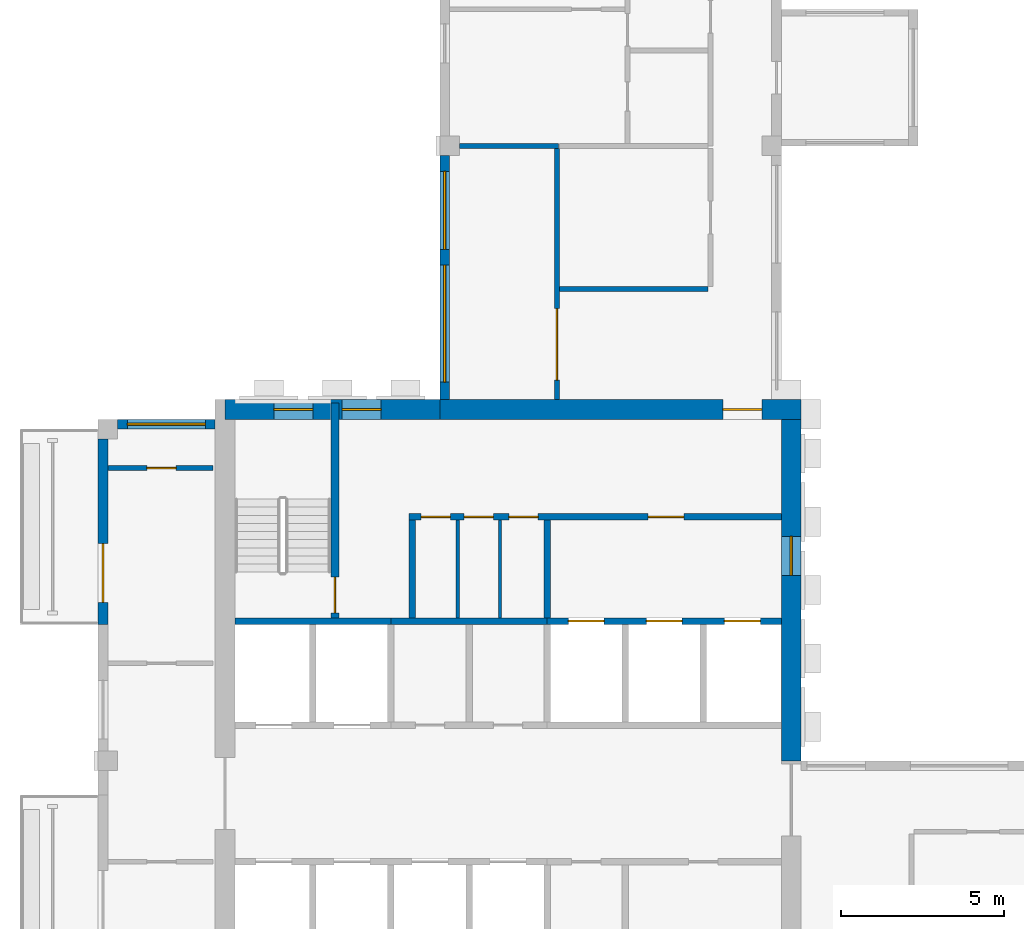
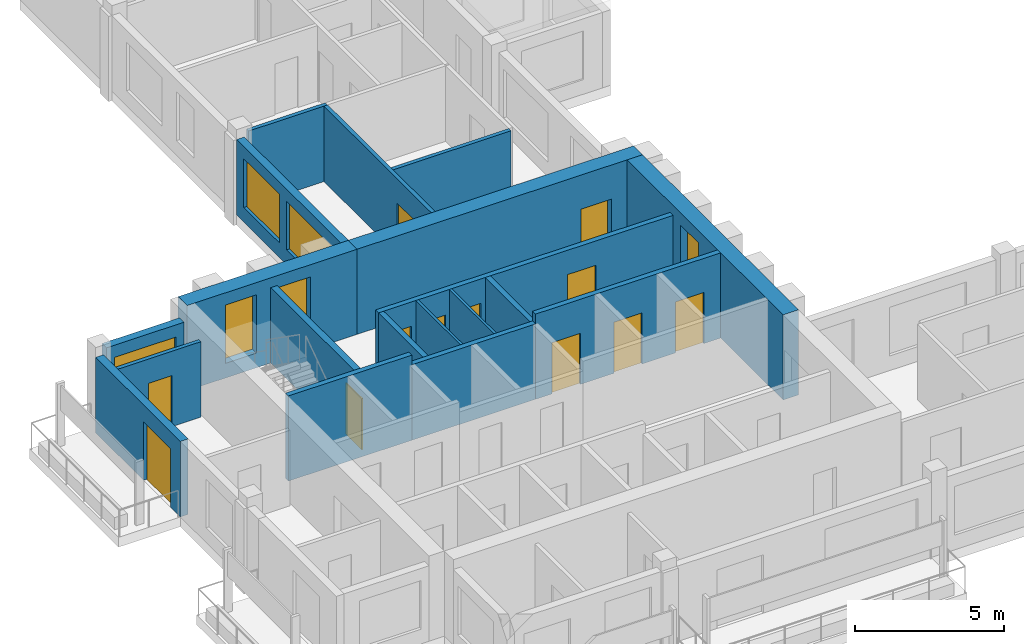
# One storey, part 3 of 10: 19 walls, 12 doors, 6 windows, 18 openings.
"""IFC4 building model written with IfcOpenShell, lengths in metres."""

from ifc_helpers import new_model, si_unit, direction, frame, frame_2d, origin, place, context, subcontext, project, spatial, rectangle, extrude, source, transform, mapped, material, layer, layer_set, type_object, element, fill, save


model = new_model("IFC4")

# Units and contexts
model_context = context("Model", 3, precision=1e-05, world=origin(), true_north=direction((0.0, 1.0)))
body_context = subcontext(model_context, "Body", "Model", "MODEL_VIEW")
ifc_project = project(units=[si_unit("LENGTHUNIT", "METRE"), si_unit("AREAUNIT", "SQUARE_METRE"), si_unit("VOLUMEUNIT", "CUBIC_METRE"), si_unit("PLANEANGLEUNIT", "RADIAN"), si_unit("MASSUNIT", "GRAM", prefix="KILO")], contexts=[model_context])

# Site, building, storey
site_placement = place(None, origin())
site = spatial("IfcSite", under=ifc_project, at=site_placement, CompositionType="ELEMENT")
building_placement = place(site_placement, origin())
building = spatial("IfcBuilding", under=site, at=building_placement, Name="Aurelian Terraces", CompositionType="ELEMENT")
storey_placement = place(building_placement, frame((0.0, 0.0, 354.5)))
storey = spatial("IfcBuildingStorey", under=building, at=storey_placement, Name="L84", CompositionType="ELEMENT", Elevation=354.5)

# Wall, opening, door
ifc_material_1 = material(Name="Concrete fc' 55 MPa", Category="concrete")
ifc_layer_1 = layer(ifc_material_1, 0.6)
ifc_layer_set_1 = layer_set([ifc_layer_1], Name="CORE WALL 600 FC55")
wall_type_1 = type_object("IfcWallType", Name="CORE WALL 600 FC55", PredefinedType="SHEAR", material=ifc_layer_set_1)
shared_shape_1 = source(origin(), body_context, "Body", "SweptSolid", [
    extrude(rectangle(XDim=11.1, YDim=0.6, at=frame_2d((5.55, 0.0))), origin(), (0.0, 0.0, 1.0), 3.5),
])
wall_1_placement = place(storey_placement, frame((10.5, 21.3, 0.0), z_axis=(0.0, 0.0, 1.0), x_axis=(1.0, 0.0, 0.0)))
wall_1 = element("IfcWall", 1, at=wall_1_placement, inside=storey, type_object=wall_type_1, Name="Core wall N L84", PredefinedType="SHEAR", context=body_context, shape_type="MappedRepresentation", body=[
    mapped(shared_shape_1, transform((0.0, 0.0, 0.0), scale=1.0)),
])
shared_shape_2 = source(origin(), body_context, "Body", "SweptSolid", [
    extrude(rectangle(XDim=1.2, YDim=2.1, at=frame_2d((0.6, 1.05))), frame((0.0, 0.31, 0.0), z_axis=(0.0, -1.0, 0.0), x_axis=(1.0, 0.0, 0.0)), (0.0, 0.0, 1.0), 0.62),
])
opening_1_placement = place(wall_1_placement, frame((8.7, 0.0, 0.0)))
opening_1 = element("IfcOpeningElement", 2, at=opening_1_placement, cuts=wall_1, Name="Opening 68726", PredefinedType="OPENING", context=body_context, shape_type="MappedRepresentation", body=[
    mapped(shared_shape_2, transform((0.0, 0.0, 0.0), scale=1.0)),
])
ifc_material_2 = material(Name="Steel door leaf", Category="steel")
door_type_1 = type_object("IfcDoorType", Name="Core fire door 1200x2100 right", OperationType="SINGLE_SWING_RIGHT", PredefinedType="DOOR", material=ifc_material_2)
shared_shape_3 = source(origin(), body_context, "Body", "SweptSolid", [
    extrude(rectangle(XDim=1.2, YDim=2.1, at=frame_2d((0.6, 1.05))), frame((0.0, 0.025, 0.0), z_axis=(0.0, -1.0, 0.0), x_axis=(1.0, 0.0, 0.0)), (0.0, 0.0, 1.0), 0.05),
])
door_1_placement = place(opening_1_placement, origin())
door_1 = element("IfcDoor", 3, at=door_1_placement, inside=storey, type_object=door_type_1, Name="Core door 68726", OperationType="SINGLE_SWING_RIGHT", OverallHeight=2.1, OverallWidth=1.2, PredefinedType="DOOR", context=body_context, shape_type="MappedRepresentation", body=[
    mapped(shared_shape_3, transform((0.0, 0.0, 0.0), scale=1.0)),
])
fill(opening_1, door_1)

# Wall, opening, window
shared_shape_4 = source(origin(), body_context, "Body", "SweptSolid", [
    extrude(rectangle(XDim=10.5, YDim=0.6, at=frame_2d((5.25, 0.0))), origin(), (0.0, 0.0, 1.0), 3.5),
])
wall_2_placement = place(storey_placement, frame((21.3, 10.5, 0.0), z_axis=(0.0, 0.0, 1.0), x_axis=(0.0, 1.0, 0.0)))
wall_2 = element("IfcWall", 4, at=wall_2_placement, inside=storey, type_object=wall_type_1, Name="Core wall E L84 exposed", PredefinedType="SHEAR", context=body_context, shape_type="MappedRepresentation", body=[
    mapped(shared_shape_4, transform((0.0, 0.0, 0.0), scale=1.0)),
])
shared_shape_5 = source(origin(), body_context, "Body", "SweptSolid", [
    extrude(rectangle(XDim=1.2, YDim=2.4, at=frame_2d((0.6, 1.2))), frame((0.0, 0.31, 0.0), z_axis=(0.0, -1.0, 0.0), x_axis=(1.0, 0.0, 0.0)), (0.0, 0.0, 1.0), 0.62),
])
opening_2_placement = place(wall_2_placement, frame((5.7, 0.0, 0.6)))
opening_2 = element("IfcOpeningElement", 5, at=opening_2_placement, cuts=wall_2, Name="Opening W-CL", PredefinedType="OPENING", context=body_context, shape_type="MappedRepresentation", body=[
    mapped(shared_shape_5, transform((0.0, 0.0, 0.0), scale=1.0)),
])
ifc_material_3 = material(Name="Fire-resisting glazing", Category="glass")
window_type_1 = type_object("IfcWindowType", Name="Core lobby window 1200x2400", PartitioningType="SINGLE_PANEL", PredefinedType="WINDOW", material=ifc_material_3)
shared_shape_6 = source(origin(), body_context, "Body", "SweptSolid", [
    extrude(rectangle(XDim=1.2, YDim=2.4, at=frame_2d((0.6, 1.2))), frame((0.0, 0.03, 0.0), z_axis=(0.0, -1.0, 0.0), x_axis=(1.0, 0.0, 0.0)), (0.0, 0.0, 1.0), 0.06),
])
window_1_placement = place(opening_2_placement, origin())
window_1 = element("IfcWindow", 6, at=window_1_placement, inside=storey, type_object=window_type_1, Name="Lobby window L84 E61", OverallHeight=2.4, OverallWidth=1.2, PartitioningType="SINGLE_PANEL", PredefinedType="WINDOW", context=body_context, shape_type="MappedRepresentation", body=[
    mapped(shared_shape_6, transform((0.0, 0.0, 0.0), scale=1.0)),
])
fill(opening_2, window_1)

# Wall, openings, windows
shared_shape_7 = source(origin(), body_context, "Body", "SweptSolid", [
    extrude(rectangle(XDim=6.6, YDim=0.6, at=frame_2d((3.3, 0.0))), origin(), (0.0, 0.0, 1.0), 3.5),
])
wall_3_placement = place(storey_placement, frame((3.9, 21.3, 0.0), z_axis=(0.0, 0.0, 1.0), x_axis=(1.0, 0.0, 0.0)))
wall_3 = element("IfcWall", 7, at=wall_3_placement, inside=storey, type_object=wall_type_1, Name="Core wall N L84 exposed", PredefinedType="SHEAR", context=body_context, shape_type="MappedRepresentation", body=[
    mapped(shared_shape_7, transform((0.0, 0.0, 0.0), scale=1.0)),
])
opening_3_placement = place(wall_3_placement, frame((1.5, 0.0, 0.6)))
opening_3 = element("IfcOpeningElement", 8, at=opening_3_placement, cuts=wall_3, Name="Opening W-CL", PredefinedType="OPENING", context=body_context, shape_type="MappedRepresentation", body=[
    mapped(shared_shape_5, transform((0.0, 0.0, 0.0), scale=1.0)),
])
opening_4_placement = place(wall_3_placement, frame((3.6, 0.0, 0.6)))
opening_4 = element("IfcOpeningElement", 9, at=opening_4_placement, cuts=wall_3, Name="Opening W-CL", PredefinedType="OPENING", context=body_context, shape_type="MappedRepresentation", body=[
    mapped(shared_shape_5, transform((0.0, 0.0, 0.0), scale=1.0)),
])
window_2_placement = place(opening_3_placement, origin())
window_2 = element("IfcWindow", 10, at=window_2_placement, inside=storey, type_object=window_type_1, Name="Lobby window L84 N62", OverallHeight=2.4, OverallWidth=1.2, PartitioningType="SINGLE_PANEL", PredefinedType="WINDOW", context=body_context, shape_type="MappedRepresentation", body=[
    mapped(shared_shape_6, transform((0.0, 0.0, 0.0), scale=1.0)),
])
fill(opening_3, window_2)
window_3_placement = place(opening_4_placement, origin())
window_3 = element("IfcWindow", 11, at=window_3_placement, inside=storey, type_object=window_type_1, Name="Lobby window L84 N63", OverallHeight=2.4, OverallWidth=1.2, PartitioningType="SINGLE_PANEL", PredefinedType="WINDOW", context=body_context, shape_type="MappedRepresentation", body=[
    mapped(shared_shape_6, transform((0.0, 0.0, 0.0), scale=1.0)),
])
fill(opening_4, window_3)

ifc_material_4 = material(Name="Terracotta rainscreen cladding", Category="masonry")
ifc_layer_2 = layer(ifc_material_4, 0.3)
ifc_layer_set_2 = layer_set([ifc_layer_2], Name="EW-300")
wall_type_2 = type_object("IfcWallType", Name="EW-300", PredefinedType="STANDARD", material=ifc_layer_set_2)
shared_shape_8 = source(origin(), body_context, "Body", "SweptSolid", [
    extrude(rectangle(XDim=7.5, YDim=0.3, at=frame_2d((3.75, 0.0))), origin(), (0.0, 0.0, 1.0), 3.1),
])
wall_4_placement = place(storey_placement, frame((10.65, 29.1, 0.0), z_axis=(0.0, 0.0, 1.0), x_axis=(0.0, -1.0, 0.0)))
wall_4 = element("IfcWall", 12, at=wall_4_placement, inside=storey, type_object=wall_type_2, Name="External wall L84 F06.14", PredefinedType="STANDARD", context=body_context, shape_type="MappedRepresentation", body=[
    mapped(shared_shape_8, transform((0.0, 0.0, 0.0), scale=1.0)),
])
shared_shape_9 = source(origin(), body_context, "Body", "SweptSolid", [
    extrude(rectangle(XDim=3.6, YDim=2.0, at=frame_2d((1.8, 1.0))), frame((0.0, 0.16, 0.0), z_axis=(0.0, -1.0, 0.0), x_axis=(1.0, 0.0, 0.0)), (0.0, 0.0, 1.0), 0.32),
])
opening_5_placement = place(wall_4_placement, frame((3.36, 0.0, 0.6)))
opening_5 = element("IfcOpeningElement", 13, at=opening_5_placement, cuts=wall_4, Name="Opening W3620", PredefinedType="OPENING", context=body_context, shape_type="MappedRepresentation", body=[
    mapped(shared_shape_9, transform((0.0, 0.0, 0.0), scale=1.0)),
])
shared_shape_10 = source(origin(), body_context, "Body", "SweptSolid", [
    extrude(rectangle(XDim=2.4, YDim=2.0, at=frame_2d((1.2, 1.0))), frame((0.0, 0.16, 0.0), z_axis=(0.0, -1.0, 0.0), x_axis=(1.0, 0.0, 0.0)), (0.0, 0.0, 1.0), 0.32),
])
opening_6_placement = place(wall_4_placement, frame((0.48, 0.0, 0.6)))
opening_6 = element("IfcOpeningElement", 14, at=opening_6_placement, cuts=wall_4, Name="Opening W2420", PredefinedType="OPENING", context=body_context, shape_type="MappedRepresentation", body=[
    mapped(shared_shape_10, transform((0.0, 0.0, 0.0), scale=1.0)),
])
ifc_material_5 = material(Name="Clear glazing", Category="glass")
window_type_2 = type_object("IfcWindowType", Name="W-2400x2000", PartitioningType="SINGLE_PANEL", PredefinedType="WINDOW", material=ifc_material_5)
shared_shape_11 = source(origin(), body_context, "Body", "SweptSolid", [
    extrude(rectangle(XDim=2.4, YDim=2.0, at=frame_2d((1.2, 1.0))), frame((0.0, 0.03, 0.0), z_axis=(0.0, -1.0, 0.0), x_axis=(1.0, 0.0, 0.0)), (0.0, 0.0, 1.0), 0.06),
])
window_4_placement = place(opening_6_placement, origin())
window_4 = element("IfcWindow", 15, at=window_4_placement, inside=storey, type_object=window_type_2, Name="Window L84 L84-F06-14-G2-146", OverallHeight=2.0, OverallWidth=2.4, PartitioningType="SINGLE_PANEL", PredefinedType="WINDOW", context=body_context, shape_type="MappedRepresentation", body=[
    mapped(shared_shape_11, transform((0.0, 0.0, 0.0), scale=1.0)),
])
fill(opening_6, window_4)
window_type_3 = type_object("IfcWindowType", Name="W-3600x2000", PartitioningType="SINGLE_PANEL", PredefinedType="WINDOW", material=ifc_material_5)
shared_shape_12 = source(origin(), body_context, "Body", "SweptSolid", [
    extrude(rectangle(XDim=3.6, YDim=2.0, at=frame_2d((1.8, 1.0))), frame((0.0, 0.03, 0.0), z_axis=(0.0, -1.0, 0.0), x_axis=(1.0, 0.0, 0.0)), (0.0, 0.0, 1.0), 0.06),
])
window_5_placement = place(opening_5_placement, origin())
window_5 = element("IfcWindow", 16, at=window_5_placement, inside=storey, type_object=window_type_3, Name="Window L84 L84-F06-14-4", OverallHeight=2.0, OverallWidth=3.6, PartitioningType="SINGLE_PANEL", PredefinedType="WINDOW", context=body_context, shape_type="MappedRepresentation", body=[
    mapped(shared_shape_12, transform((0.0, 0.0, 0.0), scale=1.0)),
])
fill(opening_5, window_5)

# Wall, opening, window
shared_shape_13 = source(origin(), body_context, "Body", "SweptSolid", [
    extrude(rectangle(XDim=3.0, YDim=0.3, at=frame_2d((1.5, 0.0))), origin(), (0.0, 0.0, 1.0), 3.1),
])
wall_5_placement = place(storey_placement, frame((3.6, 20.85, 0.0), z_axis=(0.0, 0.0, 1.0), x_axis=(-1.0, 0.0, 0.0)))
wall_5 = element("IfcWall", 17, at=wall_5_placement, inside=storey, type_object=wall_type_2, Name="External wall L84 F11.19", PredefinedType="STANDARD", context=body_context, shape_type="MappedRepresentation", body=[
    mapped(shared_shape_13, transform((0.0, 0.0, 0.0), scale=1.0)),
])
opening_7_placement = place(wall_5_placement, frame((0.3, 0.0, 0.6)))
opening_7 = element("IfcOpeningElement", 18, at=opening_7_placement, cuts=wall_5, Name="Opening W2420", PredefinedType="OPENING", context=body_context, shape_type="MappedRepresentation", body=[
    mapped(shared_shape_10, transform((0.0, 0.0, 0.0), scale=1.0)),
])
window_6_placement = place(opening_7_placement, origin())
window_6 = element("IfcWindow", 19, at=window_6_placement, inside=storey, type_object=window_type_2, Name="Window L84 L84-F11-19-0", OverallHeight=2.0, OverallWidth=2.4, PartitioningType="SINGLE_PANEL", PredefinedType="WINDOW", context=body_context, shape_type="MappedRepresentation", body=[
    mapped(shared_shape_11, transform((0.0, 0.0, 0.0), scale=1.0)),
])
fill(opening_7, window_6)

# Wall, opening, door
shared_shape_14 = source(origin(), body_context, "Body", "SweptSolid", [
    extrude(rectangle(XDim=5.7, YDim=0.3, at=frame_2d((2.85, 0.0))), origin(), (0.0, 0.0, 1.0), 3.1),
])
wall_6_placement = place(storey_placement, frame((0.15, 20.4, 0.0), z_axis=(0.0, 0.0, 1.0), x_axis=(0.0, -1.0, 0.0)))
wall_6 = element("IfcWall", 20, at=wall_6_placement, inside=storey, type_object=wall_type_2, Name="External wall L84 F12.20", PredefinedType="STANDARD", context=body_context, shape_type="MappedRepresentation", body=[
    mapped(shared_shape_14, transform((0.0, 0.0, 0.0), scale=1.0)),
])
shared_shape_15 = source(origin(), body_context, "Body", "SweptSolid", [
    extrude(rectangle(XDim=1.8, YDim=2.4, at=frame_2d((0.9, 1.2))), frame((0.0, 0.16, 0.0), z_axis=(0.0, -1.0, 0.0), x_axis=(1.0, 0.0, 0.0)), (0.0, 0.0, 1.0), 0.32),
])
opening_8_placement = place(wall_6_placement, frame((3.225, 0.0, 0.0)))
opening_8 = element("IfcOpeningElement", 21, at=opening_8_placement, cuts=wall_6, Name="Opening 88403", PredefinedType="OPENING", context=body_context, shape_type="MappedRepresentation", body=[
    mapped(shared_shape_15, transform((0.0, 0.0, 0.0), scale=1.0)),
])
door_type_2 = type_object("IfcDoorType", Name="BD-1800x2400", OperationType="SLIDING_TO_LEFT", PredefinedType="DOOR", material=ifc_material_5)
shared_shape_16 = source(origin(), body_context, "Body", "SweptSolid", [
    extrude(rectangle(XDim=1.8, YDim=2.4, at=frame_2d((0.9, 1.2))), frame((0.0, 0.025, 0.0), z_axis=(0.0, -1.0, 0.0), x_axis=(1.0, 0.0, 0.0)), (0.0, 0.0, 1.0), 0.05),
])
door_2_placement = place(opening_8_placement, origin())
door_2 = element("IfcDoor", 22, at=door_2_placement, inside=storey, type_object=door_type_2, Name="Balcony door L84 F12.20", OperationType="SLIDING_TO_LEFT", OverallHeight=2.4, OverallWidth=1.8, PredefinedType="DOOR", context=body_context, shape_type="MappedRepresentation", body=[
    mapped(shared_shape_16, transform((0.0, 0.0, 0.0), scale=1.0)),
])
fill(opening_8, door_2)

# Walls
ifc_material_6 = material(Name="Concrete fc' 40 MPa", Category="concrete")
ifc_layer_3 = layer(ifc_material_6, 0.2)
ifc_layer_set_3 = layer_set([ifc_layer_3], Name="Lift shaft wall 200")
wall_type_3 = type_object("IfcWallType", Name="Lift shaft wall 200", PredefinedType="SOLIDWALL", material=ifc_layer_set_3)
shared_shape_17 = source(origin(), body_context, "Body", "SweptSolid", [
    extrude(rectangle(XDim=4.8, YDim=0.2, at=frame_2d((2.4, 0.0))), origin(), (0.0, 0.0, 1.0), 3.5),
])
wall_7_placement = place(storey_placement, frame((4.2, 14.8, 0.0), z_axis=(0.0, 0.0, 1.0), x_axis=(1.0, 0.0, 0.0)))
element("IfcWall", 23, at=wall_7_placement, inside=storey, type_object=wall_type_3, Name="L84 core wall CF-BB1", PredefinedType="SOLIDWALL", context=body_context, shape_type="MappedRepresentation", body=[
    mapped(shared_shape_17, transform((0.0, 0.0, 0.0), scale=1.0)),
])
shared_shape_18 = source(origin(), body_context, "Body", "SweptSolid", [
    extrude(rectangle(XDim=4.8, YDim=0.2, at=frame_2d((2.4, 0.0))), origin(), (0.0, 0.0, 1.0), 3.1),
])
wall_8_placement = place(storey_placement, frame((9.0, 14.8, 0.0), z_axis=(0.0, 0.0, 1.0), x_axis=(1.0, 0.0, 0.0)))
element("IfcWall", 24, at=wall_8_placement, inside=storey, type_object=wall_type_3, Name="L84 core wall CF-BB2", PredefinedType="SOLIDWALL", context=body_context, shape_type="MappedRepresentation", body=[
    mapped(shared_shape_18, transform((0.0, 0.0, 0.0), scale=1.0)),
])

# Wall, openings, doors
shared_shape_19 = source(origin(), body_context, "Body", "SweptSolid", [
    extrude(rectangle(XDim=7.2, YDim=0.2, at=frame_2d((3.6, 0.0))), origin(), (0.0, 0.0, 1.0), 3.5),
])
wall_9_placement = place(storey_placement, frame((13.8, 14.8, 0.0), z_axis=(0.0, 0.0, 1.0), x_axis=(1.0, 0.0, 0.0)))
wall_9 = element("IfcWall", 25, at=wall_9_placement, inside=storey, type_object=wall_type_3, Name="L84 core wall CF-BB3", PredefinedType="SOLIDWALL", context=body_context, shape_type="MappedRepresentation", body=[
    mapped(shared_shape_19, transform((0.0, 0.0, 0.0), scale=1.0)),
])
shared_shape_20 = source(origin(), body_context, "Body", "SweptSolid", [
    extrude(rectangle(XDim=1.1, YDim=2.1, at=frame_2d((0.55, 1.05))), frame((0.0, 0.11, 0.0), z_axis=(0.0, -1.0, 0.0), x_axis=(1.0, 0.0, 0.0)), (0.0, 0.0, 1.0), 0.22),
])
opening_9_placement = place(wall_9_placement, frame((0.65, 0.0, 0.0)))
opening_9 = element("IfcOpeningElement", 26, at=opening_9_placement, cuts=wall_9, Name="Opening 68710", PredefinedType="OPENING", context=body_context, shape_type="MappedRepresentation", body=[
    mapped(shared_shape_20, transform((0.0, 0.0, 0.0), scale=1.0)),
])
opening_10_placement = place(wall_9_placement, frame((3.05, 0.0, 0.0)))
opening_10 = element("IfcOpeningElement", 27, at=opening_10_placement, cuts=wall_9, Name="Opening 68711", PredefinedType="OPENING", context=body_context, shape_type="MappedRepresentation", body=[
    mapped(shared_shape_20, transform((0.0, 0.0, 0.0), scale=1.0)),
])
opening_11_placement = place(wall_9_placement, frame((5.45, 0.0, 0.0)))
opening_11 = element("IfcOpeningElement", 28, at=opening_11_placement, cuts=wall_9, Name="Opening 68712", PredefinedType="OPENING", context=body_context, shape_type="MappedRepresentation", body=[
    mapped(shared_shape_20, transform((0.0, 0.0, 0.0), scale=1.0)),
])
ifc_material_7 = material(Name="Stainless steel", Category="steel")
door_type_3 = type_object("IfcDoorType", Name="Lift landing door 1100x2100", OperationType="SLIDING_TO_LEFT", PredefinedType="DOOR", material=ifc_material_7)
shared_shape_21 = source(origin(), body_context, "Body", "SweptSolid", [
    extrude(rectangle(XDim=1.1, YDim=2.1, at=frame_2d((0.55, 1.05))), frame((0.0, 0.025, 0.0), z_axis=(0.0, -1.0, 0.0), x_axis=(1.0, 0.0, 0.0)), (0.0, 0.0, 1.0), 0.05),
])
door_3_placement = place(opening_9_placement, origin())
door_3 = element("IfcDoor", 29, at=door_3_placement, inside=storey, type_object=door_type_3, Name="Lift landing door F1 L84", OperationType="SLIDING_TO_LEFT", OverallHeight=2.1, OverallWidth=1.1, PredefinedType="DOOR", context=body_context, shape_type="MappedRepresentation", body=[
    mapped(shared_shape_21, transform((0.0, 0.0, 0.0), scale=1.0)),
])
fill(opening_9, door_3)
door_4_placement = place(opening_10_placement, origin())
door_4 = element("IfcDoor", 30, at=door_4_placement, inside=storey, type_object=door_type_3, Name="Lift landing door F2 L84", OperationType="SLIDING_TO_LEFT", OverallHeight=2.1, OverallWidth=1.1, PredefinedType="DOOR", context=body_context, shape_type="MappedRepresentation", body=[
    mapped(shared_shape_21, transform((0.0, 0.0, 0.0), scale=1.0)),
])
fill(opening_10, door_4)
door_5_placement = place(opening_11_placement, origin())
door_5 = element("IfcDoor", 31, at=door_5_placement, inside=storey, type_object=door_type_3, Name="Lift landing door F3 L84", OperationType="SLIDING_TO_LEFT", OverallHeight=2.1, OverallWidth=1.1, PredefinedType="DOOR", context=body_context, shape_type="MappedRepresentation", body=[
    mapped(shared_shape_21, transform((0.0, 0.0, 0.0), scale=1.0)),
])
fill(opening_11, door_5)

# Walls
ifc_material_8 = material(Name="Gypsum board on steel studs", Category="steel")
ifc_layer_4 = layer(ifc_material_8, 0.2)
ifc_layer_set_4 = layer_set([ifc_layer_4], Name="Core partition 200")
wall_type_4 = type_object("IfcWallType", Name="Core partition 200", PredefinedType="PARTITIONING", material=ifc_layer_set_4)
shared_shape_22 = source(origin(), body_context, "Body", "SweptSolid", [
    extrude(rectangle(XDim=3.0, YDim=0.2, at=frame_2d((1.5, 0.0))), origin(), (0.0, 0.0, 1.0), 3.1),
])
for number, where, z_axis, x_axis, name in (
    (32, (9.65, 14.9, 0.0), (0.0, 0.0, 1.0), (0.0, 1.0, 0.0), "L84 core wall CP-VEST"),
    (33, (13.8, 14.9, 0.0), (0.0, 0.0, 1.0), (0.0, 1.0, 0.0), "L84 core wall CP-FFL"),
):
    element("IfcWall", number, at=place(storey_placement, frame(where, z_axis=z_axis, x_axis=x_axis)), inside=storey, type_object=wall_type_4, Name=name, PredefinedType="PARTITIONING", context=body_context, shape_type="MappedRepresentation", body=[
        mapped(shared_shape_22, transform((0.0, 0.0, 0.0), scale=1.0)),
    ])

# Wall, opening, door
ifc_layer_5 = layer(ifc_material_6, 0.25)
ifc_layer_set_5 = layer_set([ifc_layer_5], Name="Stair enclosure wall 250")
wall_type_5 = type_object("IfcWallType", Name="Stair enclosure wall 250", PredefinedType="SOLIDWALL", material=ifc_layer_set_5)
shared_shape_23 = source(origin(), body_context, "Body", "SweptSolid", [
    extrude(rectangle(XDim=6.6, YDim=0.25, at=frame_2d((3.3, 0.0))), origin(), (0.0, 0.0, 1.0), 3.1),
])
wall_10_placement = place(storey_placement, frame((7.275, 14.9, 0.0), z_axis=(0.0, 0.0, 1.0), x_axis=(0.0, 1.0, 0.0)))
wall_10 = element("IfcWall", 34, at=wall_10_placement, inside=storey, type_object=wall_type_5, Name="L84 core wall ST-S1-E", PredefinedType="SOLIDWALL", context=body_context, shape_type="MappedRepresentation", body=[
    mapped(shared_shape_23, transform((0.0, 0.0, 0.0), scale=1.0)),
])
shared_shape_24 = source(origin(), body_context, "Body", "SweptSolid", [
    extrude(rectangle(XDim=1.1, YDim=2.1, at=frame_2d((0.55, 1.05))), frame((0.0, 0.135, 0.0), z_axis=(0.0, -1.0, 0.0), x_axis=(1.0, 0.0, 0.0)), (0.0, 0.0, 1.0), 0.27),
])
opening_12_placement = place(wall_10_placement, frame((0.15, 0.0, 0.0)))
opening_12 = element("IfcOpeningElement", 35, at=opening_12_placement, cuts=wall_10, Name="Opening 68713", PredefinedType="OPENING", context=body_context, shape_type="MappedRepresentation", body=[
    mapped(shared_shape_24, transform((0.0, 0.0, 0.0), scale=1.0)),
])
door_type_4 = type_object("IfcDoorType", Name="Core fire door 1100x2100", OperationType="SINGLE_SWING_LEFT", PredefinedType="DOOR", material=ifc_material_2)
door_6_placement = place(opening_12_placement, origin())
door_6 = element("IfcDoor", 36, at=door_6_placement, inside=storey, type_object=door_type_4, Name="Stair door 68713", OperationType="SINGLE_SWING_LEFT", OverallHeight=2.1, OverallWidth=1.1, PredefinedType="DOOR", context=body_context, shape_type="MappedRepresentation", body=[
    mapped(shared_shape_21, transform((0.0, 0.0, 0.0), scale=1.0)),
])
fill(opening_12, door_6)

# Wall, openings, doors
shared_shape_25 = source(origin(), body_context, "Body", "SweptSolid", [
    extrude(rectangle(XDim=11.45, YDim=0.2, at=frame_2d((5.725, 0.0))), origin(), (0.0, 0.0, 1.0), 3.1),
])
wall_11_placement = place(storey_placement, frame((9.55, 18.0, 0.0), z_axis=(0.0, 0.0, 1.0), x_axis=(1.0, 0.0, 0.0)))
wall_11 = element("IfcWall", 37, at=wall_11_placement, inside=storey, type_object=wall_type_4, Name="L84 core wall CP-NORTH", PredefinedType="PARTITIONING", context=body_context, shape_type="MappedRepresentation", body=[
    mapped(shared_shape_25, transform((0.0, 0.0, 0.0), scale=1.0)),
])
shared_shape_26 = source(origin(), body_context, "Body", "SweptSolid", [
    extrude(rectangle(XDim=0.9, YDim=2.1, at=frame_2d((0.45, 1.05))), frame((0.0, 0.11, 0.0), z_axis=(0.0, -1.0, 0.0), x_axis=(1.0, 0.0, 0.0)), (0.0, 0.0, 1.0), 0.22),
])
opening_13_placement = place(wall_11_placement, frame((0.375, 0.0, 0.0)))
opening_13 = element("IfcOpeningElement", 38, at=opening_13_placement, cuts=wall_11, Name="Opening 68714", PredefinedType="OPENING", context=body_context, shape_type="MappedRepresentation", body=[
    mapped(shared_shape_26, transform((0.0, 0.0, 0.0), scale=1.0)),
])
opening_14_placement = place(wall_11_placement, frame((1.7, 0.0, 0.0)))
opening_14 = element("IfcOpeningElement", 39, at=opening_14_placement, cuts=wall_11, Name="Opening 68715", PredefinedType="OPENING", context=body_context, shape_type="MappedRepresentation", body=[
    mapped(shared_shape_26, transform((0.0, 0.0, 0.0), scale=1.0)),
])
opening_15_placement = place(wall_11_placement, frame((3.075, 0.0, 0.0)))
opening_15 = element("IfcOpeningElement", 40, at=opening_15_placement, cuts=wall_11, Name="Opening 68716", PredefinedType="OPENING", context=body_context, shape_type="MappedRepresentation", body=[
    mapped(shared_shape_26, transform((0.0, 0.0, 0.0), scale=1.0)),
])
opening_16_placement = place(wall_11_placement, frame((7.35, 0.0, 0.0)))
opening_16 = element("IfcOpeningElement", 41, at=opening_16_placement, cuts=wall_11, Name="Opening 68717", PredefinedType="OPENING", context=body_context, shape_type="MappedRepresentation", body=[
    mapped(shared_shape_20, transform((0.0, 0.0, 0.0), scale=1.0)),
])
door_type_5 = type_object("IfcDoorType", Name="Core riser door 900x2100 right", OperationType="SINGLE_SWING_RIGHT", PredefinedType="DOOR", material=ifc_material_2)
shared_shape_27 = source(origin(), body_context, "Body", "SweptSolid", [
    extrude(rectangle(XDim=0.9, YDim=2.1, at=frame_2d((0.45, 1.05))), frame((0.0, 0.025, 0.0), z_axis=(0.0, -1.0, 0.0), x_axis=(1.0, 0.0, 0.0)), (0.0, 0.0, 1.0), 0.05),
])
door_7_placement = place(opening_13_placement, origin())
door_7 = element("IfcDoor", 42, at=door_7_placement, inside=storey, type_object=door_type_5, Name="Room door 68714", OperationType="SINGLE_SWING_RIGHT", OverallHeight=2.1, OverallWidth=0.9, PredefinedType="DOOR", context=body_context, shape_type="MappedRepresentation", body=[
    mapped(shared_shape_27, transform((0.0, 0.0, 0.0), scale=1.0)),
])
fill(opening_13, door_7)
door_type_6 = type_object("IfcDoorType", Name="Core service door 900x2100", OperationType="SINGLE_SWING_LEFT", PredefinedType="DOOR", material=ifc_material_2)
door_8_placement = place(opening_14_placement, origin())
door_8 = element("IfcDoor", 43, at=door_8_placement, inside=storey, type_object=door_type_6, Name="Room door 68715", OperationType="SINGLE_SWING_LEFT", OverallHeight=2.1, OverallWidth=0.9, PredefinedType="DOOR", context=body_context, shape_type="MappedRepresentation", body=[
    mapped(shared_shape_27, transform((0.0, 0.0, 0.0), scale=1.0)),
])
fill(opening_14, door_8)
door_type_7 = type_object("IfcDoorType", Name="Core service door 900x2100 right", OperationType="SINGLE_SWING_RIGHT", PredefinedType="DOOR", material=ifc_material_2)
door_9_placement = place(opening_15_placement, origin())
door_9 = element("IfcDoor", 44, at=door_9_placement, inside=storey, type_object=door_type_7, Name="Room door 68716", OperationType="SINGLE_SWING_RIGHT", OverallHeight=2.1, OverallWidth=0.9, PredefinedType="DOOR", context=body_context, shape_type="MappedRepresentation", body=[
    mapped(shared_shape_27, transform((0.0, 0.0, 0.0), scale=1.0)),
])
fill(opening_15, door_9)
door_10_placement = place(opening_16_placement, origin())
door_10 = element("IfcDoor", 45, at=door_10_placement, inside=storey, type_object=door_type_4, Name="Ff lobby door 68717", OperationType="SINGLE_SWING_LEFT", OverallHeight=2.1, OverallWidth=1.1, PredefinedType="DOOR", context=body_context, shape_type="MappedRepresentation", body=[
    mapped(shared_shape_21, transform((0.0, 0.0, 0.0), scale=1.0)),
])
fill(opening_16, door_10)

# Walls
ifc_layer_6 = layer(ifc_material_8, 0.1)
ifc_layer_set_6 = layer_set([ifc_layer_6], Name="Core partition 100")
wall_type_6 = type_object("IfcWallType", Name="Core partition 100", PredefinedType="PARTITIONING", material=ifc_layer_set_6)
shared_shape_28 = source(origin(), body_context, "Body", "SweptSolid", [
    extrude(rectangle(XDim=3.0, YDim=0.1, at=frame_2d((1.5, 0.0))), origin(), (0.0, 0.0, 1.0), 3.1),
])
for number, where, z_axis, x_axis, name in (
    (46, (11.05, 14.9, 0.0), (0.0, 0.0, 1.0), (0.0, 1.0, 0.0), "L84 core wall CP-SV1"),
    (47, (12.35, 14.9, 0.0), (0.0, 0.0, 1.0), (0.0, 1.0, 0.0), "L84 core wall CP-SV2"),
):
    element("IfcWall", number, at=place(storey_placement, frame(where, z_axis=z_axis, x_axis=x_axis)), inside=storey, type_object=wall_type_6, Name=name, PredefinedType="PARTITIONING", context=body_context, shape_type="MappedRepresentation", body=[
        mapped(shared_shape_28, transform((0.0, 0.0, 0.0), scale=1.0)),
    ])
ifc_layer_7 = layer(ifc_material_8, 0.15)
ifc_layer_set_7 = layer_set([ifc_layer_7], Name="Partition 150")
wall_type_7 = type_object("IfcWallType", Name="Partition 150", PredefinedType="PARTITIONING", material=ifc_layer_set_7)
shared_shape_29 = source(origin(), body_context, "Body", "SweptSolid", [
    extrude(rectangle(XDim=4.575, YDim=0.15, at=frame_2d((2.2875, 0.0))), origin(), (0.0, 0.0, 1.0), 3.1),
])
wall_12_placement = place(storey_placement, frame((14.175, 25.0, 0.0), z_axis=(0.0, 0.0, 1.0), x_axis=(1.0, 0.0, 0.0)))
element("IfcWall", 48, at=wall_12_placement, inside=storey, type_object=wall_type_7, Name="Partition", PredefinedType="PARTITIONING", context=body_context, shape_type="MappedRepresentation", body=[
    mapped(shared_shape_29, transform((0.0, 0.0, 0.0), scale=1.0)),
])

# Wall, opening, door
shared_shape_30 = source(origin(), body_context, "Body", "SweptSolid", [
    extrude(rectangle(XDim=7.725, YDim=0.15, at=frame_2d((3.8625, 0.0))), origin(), (0.0, 0.0, 1.0), 3.1),
])
wall_13_placement = place(storey_placement, frame((14.1, 29.325, 0.0), z_axis=(0.0, 0.0, 1.0), x_axis=(0.0, -1.0, 0.0)))
wall_13 = element("IfcWall", 49, at=wall_13_placement, inside=storey, type_object=wall_type_7, Name="Partition", PredefinedType="PARTITIONING", context=body_context, shape_type="MappedRepresentation", body=[
    mapped(shared_shape_30, transform((0.0, 0.0, 0.0), scale=1.0)),
])
shared_shape_31 = source(origin(), body_context, "Body", "SweptSolid", [
    extrude(rectangle(XDim=2.2, YDim=2.1, at=frame_2d((1.1, 1.05))), frame((0.0, 0.085, 0.0), z_axis=(0.0, -1.0, 0.0), x_axis=(1.0, 0.0, 0.0)), (0.0, 0.0, 1.0), 0.17),
])
opening_17_placement = place(wall_13_placement, frame((4.925, 0.0, 0.0)))
opening_17 = element("IfcOpeningElement", 50, at=opening_17_placement, cuts=wall_13, Name="Opening 784016", PredefinedType="OPENING", context=body_context, shape_type="MappedRepresentation", body=[
    mapped(shared_shape_31, transform((0.0, 0.0, 0.0), scale=1.0)),
])
ifc_material_9 = material(Name="Timber door leaf", Category="wood")
door_type_8 = type_object("IfcDoorType", Name="Double room door 2200x2100", OperationType="DOUBLE_DOOR_SINGLE_SWING", PredefinedType="DOOR", material=ifc_material_9)
shared_shape_32 = source(origin(), body_context, "Body", "SweptSolid", [
    extrude(rectangle(XDim=2.2, YDim=2.1, at=frame_2d((1.1, 1.05))), frame((0.0, 0.025, 0.0), z_axis=(0.0, -1.0, 0.0), x_axis=(1.0, 0.0, 0.0)), (0.0, 0.0, 1.0), 0.05),
])
door_11_placement = place(opening_17_placement, origin())
door_11 = element("IfcDoor", 51, at=door_11_placement, inside=storey, type_object=door_type_8, Name="Door 784016", OperationType="DOUBLE_DOOR_SINGLE_SWING", OverallHeight=2.1, OverallWidth=2.2, PredefinedType="DOOR", context=body_context, shape_type="MappedRepresentation", body=[
    mapped(shared_shape_32, transform((0.0, 0.0, 0.0), scale=1.0)),
])
fill(opening_17, door_11)

shared_shape_33 = source(origin(), body_context, "Body", "SweptSolid", [
    extrude(rectangle(XDim=3.225, YDim=0.15, at=frame_2d((1.6125, 0.0))), origin(), (0.0, 0.0, 1.0), 3.1),
])
wall_14_placement = place(storey_placement, frame((0.3, 19.5, 0.0), z_axis=(0.0, 0.0, 1.0), x_axis=(1.0, 0.0, 0.0)))
wall_14 = element("IfcWall", 52, at=wall_14_placement, inside=storey, type_object=wall_type_7, Name="Partition", PredefinedType="PARTITIONING", context=body_context, shape_type="MappedRepresentation", body=[
    mapped(shared_shape_33, transform((0.0, 0.0, 0.0), scale=1.0)),
])
shared_shape_34 = source(origin(), body_context, "Body", "SweptSolid", [
    extrude(rectangle(XDim=0.9, YDim=2.1, at=frame_2d((0.45, 1.05))), frame((0.0, 0.085, 0.0), z_axis=(0.0, -1.0, 0.0), x_axis=(1.0, 0.0, 0.0)), (0.0, 0.0, 1.0), 0.17),
])
opening_18_placement = place(wall_14_placement, frame((1.2, 0.0, 0.0)))
opening_18 = element("IfcOpeningElement", 53, at=opening_18_placement, cuts=wall_14, Name="Opening 784015", PredefinedType="OPENING", context=body_context, shape_type="MappedRepresentation", body=[
    mapped(shared_shape_34, transform((0.0, 0.0, 0.0), scale=1.0)),
])
door_type_9 = type_object("IfcDoorType", Name="Room door 900x2100 right", OperationType="SINGLE_SWING_RIGHT", PredefinedType="DOOR", material=ifc_material_9)
door_12_placement = place(opening_18_placement, origin())
door_12 = element("IfcDoor", 54, at=door_12_placement, inside=storey, type_object=door_type_9, Name="Door 784015", OperationType="SINGLE_SWING_RIGHT", OverallHeight=2.1, OverallWidth=0.9, PredefinedType="DOOR", context=body_context, shape_type="MappedRepresentation", body=[
    mapped(shared_shape_27, transform((0.0, 0.0, 0.0), scale=1.0)),
])
fill(opening_18, door_12)

# Wall
ifc_layer_8 = layer(ifc_material_8, 0.15)
ifc_layer_set_8 = layer_set([ifc_layer_8], Name="Fire partition 150")
wall_type_8 = type_object("IfcWallType", Name="Fire partition 150", PredefinedType="PARTITIONING", material=ifc_layer_set_8)
shared_shape_35 = source(origin(), body_context, "Body", "SweptSolid", [
    extrude(rectangle(XDim=3.056, YDim=0.15, at=frame_2d((1.528, 0.0))), origin(), (0.0, 0.0, 1.0), 3.1),
])
wall_15_placement = place(storey_placement, frame((14.155, 29.4, 0.0), z_axis=(0.0, 0.0, 1.0), x_axis=(-1.0, 0.0, 0.0)))
element("IfcWall", 55, at=wall_15_placement, inside=storey, type_object=wall_type_8, Name="Party wall", PredefinedType="PARTITIONING", context=body_context, shape_type="MappedRepresentation", body=[
    mapped(shared_shape_35, transform((0.0, 0.0, 0.0), scale=1.0)),
])

save(model, "model.ifc")
